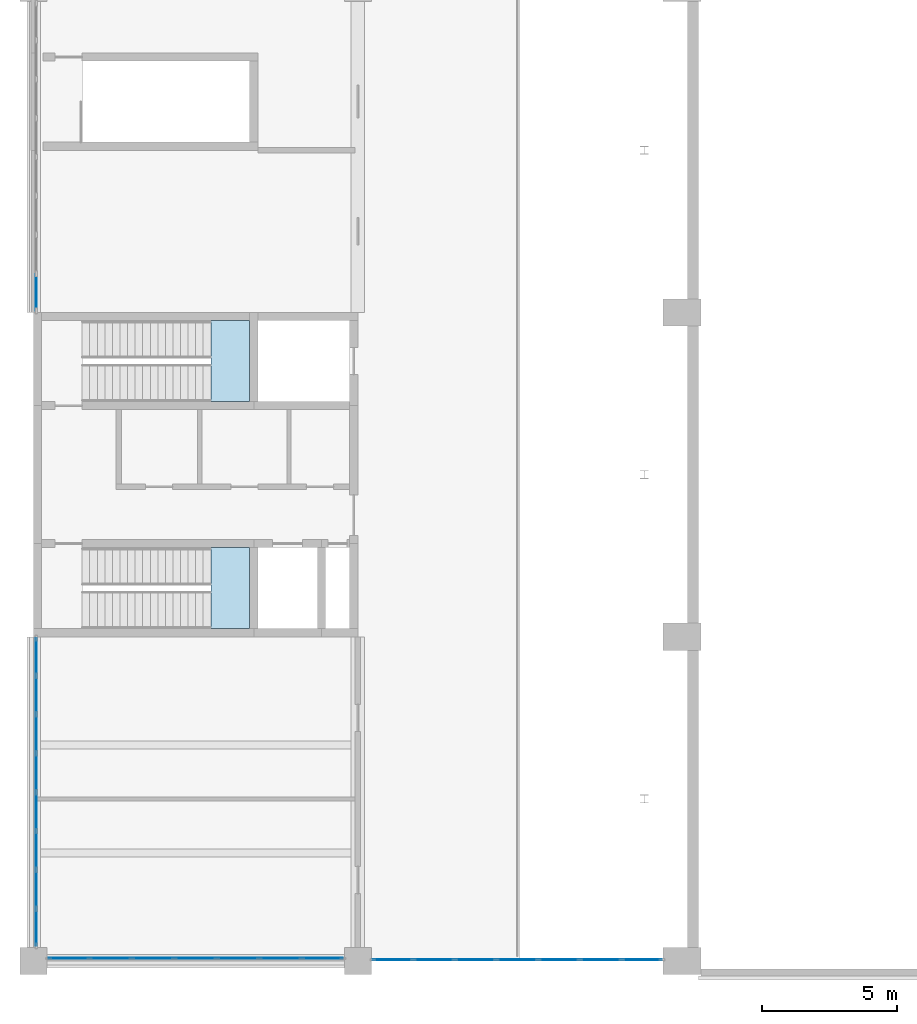
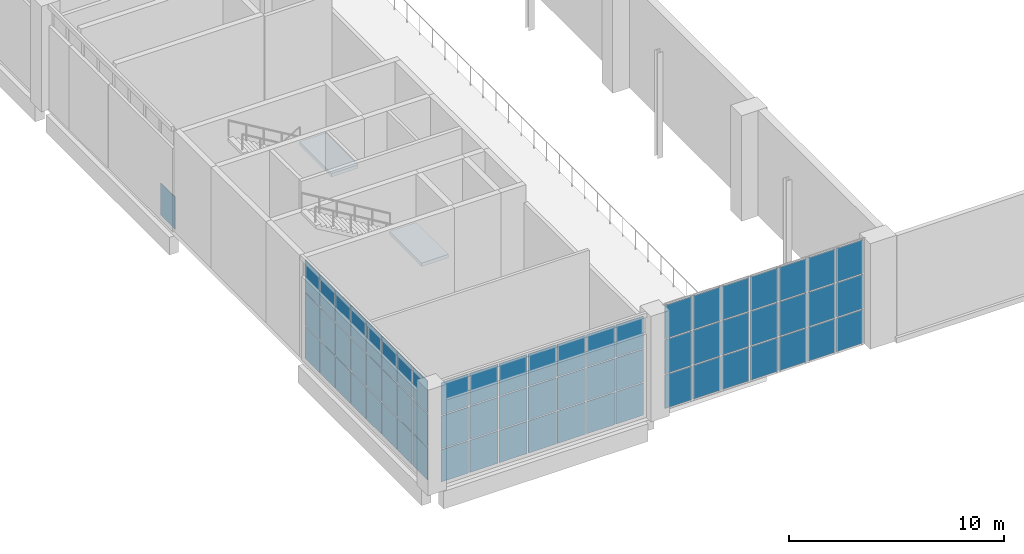
# One storey, part 40 of 72: 67 plates, 2 slabs, 6 elements without a shape of their own.
"""IFC4 building model written with IfcOpenShell, lengths in metres."""

from ifc_helpers import new_model, si_unit, direction, frame, origin, origin_2d, place, context, subcontext, project, spatial, polyline, rectangle, outline, extrude, material, layer, layer_set, type_object, element, aggregate, save


model = new_model("IFC4")

# Units and contexts
model_context = context("Model", 3, precision=1e-05, world=origin(), true_north=direction((0.0, 1.0)))
body_context = subcontext(model_context, "Body", "Model", "MODEL_VIEW")
ifc_project = project(units=[si_unit("LENGTHUNIT", "METRE"), si_unit("AREAUNIT", "SQUARE_METRE"), si_unit("VOLUMEUNIT", "CUBIC_METRE"), si_unit("PLANEANGLEUNIT", "RADIAN"), si_unit("MASSUNIT", "GRAM", prefix="KILO")], contexts=[model_context])

# Site, building, storey
site_placement = place(None, origin())
site = spatial("IfcSite", under=ifc_project, at=site_placement, CompositionType="ELEMENT")
building_placement = place(site_placement, origin())
building = spatial("IfcBuilding", under=site, at=building_placement, Name="Lilac Gate Convention Centre", CompositionType="ELEMENT")
storey_placement = place(building_placement, frame((0.0, 0.0, 6.0)))
storey = spatial("IfcBuildingStorey", under=building, at=storey_placement, Name="L01", CompositionType="ELEMENT", Elevation=6.0)

# Curtain wall, plates
ifc_material_1 = material(Name="Aluminium framed double glazing", Category="aluminium")
ifc_layer_1 = layer(ifc_material_1, 0.199951171875)
ifc_layer_set_1 = layer_set([ifc_layer_1], Name="Aluminium framed double glazing")
curtain_wall_type = type_object("IfcCurtainWallType", Name="Unitised curtain wall 1500", PredefinedType="NOTDEFINED", material=ifc_layer_set_1)
curtain_wall_1_placement = place(storey_placement, origin())
curtain_wall_1 = element("IfcCurtainWall", 1, at=curtain_wall_1_placement, inside=storey, type_object=curtain_wall_type, Name="Curtain wall PW L01 12", PredefinedType="NOTDEFINED")
ifc_material_2 = material(Name="Double glazed unit low emissivity")
ifc_layer_2 = layer(ifc_material_2, 0.028076171875)
ifc_layer_set_2 = layer_set([ifc_layer_2], Name="Double glazed unit low emissivity")
plate_type_1 = type_object("IfcPlateType", Name="Curtain wall glass panel 28", PredefinedType="CURTAIN_PANEL", material=ifc_layer_set_2)
plate_1_placement = place(storey_placement, frame((6.10009765625, 41.266357421875, 1.94677734375), z_axis=(0.0, 0.0, 1.0), x_axis=(0.0, -1.0, 0.0)))
plate_1 = element("IfcPlate", 2, at=plate_1_placement, type_object=plate_type_1, Name="CW panel 1.2", PredefinedType="CURTAIN_PANEL", context=body_context, shape_type="SweptSolid", body=[
    extrude(rectangle(XDim=1.347412109375, YDim=0.028076171875, at=origin_2d()), origin(), (0.0, 0.0, 1.0), 1.856689453125),
])
plate_2_placement = place(storey_placement, frame((6.10009765625, 41.266357421875, 3.86328125), z_axis=(0.0, 0.0, 1.0), x_axis=(0.0, -1.0, 0.0)))
plate_2 = element("IfcPlate", 3, at=plate_2_placement, type_object=plate_type_1, Name="CW panel 1.3", PredefinedType="CURTAIN_PANEL", context=body_context, shape_type="SweptSolid", body=[
    extrude(rectangle(XDim=1.347412109375, YDim=0.028076171875, at=origin_2d()), origin(), (0.0, 0.0, 1.0), 1.82666015625),
])
plate_3_placement = place(storey_placement, frame((6.10009765625, 39.84375, 1.94677734375), z_axis=(0.0, 0.0, 1.0), x_axis=(0.0, -1.0, 0.0)))
plate_3 = element("IfcPlate", 4, at=plate_3_placement, type_object=plate_type_1, Name="CW panel 2.2", PredefinedType="CURTAIN_PANEL", context=body_context, shape_type="SweptSolid", body=[
    extrude(rectangle(XDim=1.37744140625, YDim=0.028076171875, at=origin_2d()), origin(), (0.0, 0.0, 1.0), 1.856689453125),
])
plate_4_placement = place(storey_placement, frame((6.10009765625, 39.84375, 3.86328125), z_axis=(0.0, 0.0, 1.0), x_axis=(0.0, -1.0, 0.0)))
plate_4 = element("IfcPlate", 5, at=plate_4_placement, type_object=plate_type_1, Name="CW panel 2.3", PredefinedType="CURTAIN_PANEL", context=body_context, shape_type="SweptSolid", body=[
    extrude(rectangle(XDim=1.37744140625, YDim=0.028076171875, at=origin_2d()), origin(), (0.0, 0.0, 1.0), 1.82666015625),
])
plate_5_placement = place(storey_placement, frame((6.10009765625, 38.40625, 1.94677734375), z_axis=(0.0, 0.0, 1.0), x_axis=(0.0, -1.0, 0.0)))
plate_5 = element("IfcPlate", 6, at=plate_5_placement, type_object=plate_type_1, Name="CW panel 3.2", PredefinedType="CURTAIN_PANEL", context=body_context, shape_type="SweptSolid", body=[
    extrude(rectangle(XDim=1.37744140625, YDim=0.028076171875, at=origin_2d()), origin(), (0.0, 0.0, 1.0), 1.856689453125),
])
plate_6_placement = place(storey_placement, frame((6.10009765625, 38.40625, 3.86328125), z_axis=(0.0, 0.0, 1.0), x_axis=(0.0, -1.0, 0.0)))
plate_6 = element("IfcPlate", 7, at=plate_6_placement, type_object=plate_type_1, Name="CW panel 3.3", PredefinedType="CURTAIN_PANEL", context=body_context, shape_type="SweptSolid", body=[
    extrude(rectangle(XDim=1.37744140625, YDim=0.028076171875, at=origin_2d()), origin(), (0.0, 0.0, 1.0), 1.82666015625),
])
plate_7_placement = place(storey_placement, frame((6.10009765625, 36.96875, 1.94677734375), z_axis=(0.0, 0.0, 1.0), x_axis=(0.0, -1.0, 0.0)))
plate_7 = element("IfcPlate", 8, at=plate_7_placement, type_object=plate_type_1, Name="CW panel 4.2", PredefinedType="CURTAIN_PANEL", context=body_context, shape_type="SweptSolid", body=[
    extrude(rectangle(XDim=1.37744140625, YDim=0.028076171875, at=origin_2d()), origin(), (0.0, 0.0, 1.0), 1.856689453125),
])
plate_8_placement = place(storey_placement, frame((6.10009765625, 36.96875, 3.86328125), z_axis=(0.0, 0.0, 1.0), x_axis=(0.0, -1.0, 0.0)))
plate_8 = element("IfcPlate", 9, at=plate_8_placement, type_object=plate_type_1, Name="CW panel 4.3", PredefinedType="CURTAIN_PANEL", context=body_context, shape_type="SweptSolid", body=[
    extrude(rectangle(XDim=1.37744140625, YDim=0.028076171875, at=origin_2d()), origin(), (0.0, 0.0, 1.0), 1.82666015625),
])
plate_9_placement = place(storey_placement, frame((6.10009765625, 35.53125, 1.94677734375), z_axis=(0.0, 0.0, 1.0), x_axis=(0.0, -1.0, 0.0)))
plate_9 = element("IfcPlate", 10, at=plate_9_placement, type_object=plate_type_1, Name="CW panel 5.2", PredefinedType="CURTAIN_PANEL", context=body_context, shape_type="SweptSolid", body=[
    extrude(rectangle(XDim=1.37744140625, YDim=0.028076171875, at=origin_2d()), origin(), (0.0, 0.0, 1.0), 1.856689453125),
])
plate_10_placement = place(storey_placement, frame((6.10009765625, 35.53125, 3.86328125), z_axis=(0.0, 0.0, 1.0), x_axis=(0.0, -1.0, 0.0)))
plate_10 = element("IfcPlate", 11, at=plate_10_placement, type_object=plate_type_1, Name="CW panel 5.3", PredefinedType="CURTAIN_PANEL", context=body_context, shape_type="SweptSolid", body=[
    extrude(rectangle(XDim=1.37744140625, YDim=0.028076171875, at=origin_2d()), origin(), (0.0, 0.0, 1.0), 1.82666015625),
])
plate_11_placement = place(storey_placement, frame((6.10009765625, 34.09375, 1.94677734375), z_axis=(0.0, 0.0, 1.0), x_axis=(0.0, -1.0, 0.0)))
plate_11 = element("IfcPlate", 12, at=plate_11_placement, type_object=plate_type_1, Name="CW panel 6.2", PredefinedType="CURTAIN_PANEL", context=body_context, shape_type="SweptSolid", body=[
    extrude(rectangle(XDim=1.37744140625, YDim=0.028076171875, at=origin_2d()), origin(), (0.0, 0.0, 1.0), 1.856689453125),
])
plate_12_placement = place(storey_placement, frame((6.10009765625, 34.09375, 3.86328125), z_axis=(0.0, 0.0, 1.0), x_axis=(0.0, -1.0, 0.0)))
plate_12 = element("IfcPlate", 13, at=plate_12_placement, type_object=plate_type_1, Name="CW panel 6.3", PredefinedType="CURTAIN_PANEL", context=body_context, shape_type="SweptSolid", body=[
    extrude(rectangle(XDim=1.37744140625, YDim=0.028076171875, at=origin_2d()), origin(), (0.0, 0.0, 1.0), 1.82666015625),
])
plate_13_placement = place(storey_placement, frame((6.10009765625, 32.65625, 1.94677734375), z_axis=(0.0, 0.0, 1.0), x_axis=(0.0, -1.0, 0.0)))
plate_13 = element("IfcPlate", 14, at=plate_13_placement, type_object=plate_type_1, Name="CW panel 7.2", PredefinedType="CURTAIN_PANEL", context=body_context, shape_type="SweptSolid", body=[
    extrude(rectangle(XDim=1.37744140625, YDim=0.028076171875, at=origin_2d()), origin(), (0.0, 0.0, 1.0), 1.856689453125),
])
plate_14_placement = place(storey_placement, frame((6.10009765625, 32.65625, 3.86328125), z_axis=(0.0, 0.0, 1.0), x_axis=(0.0, -1.0, 0.0)))
plate_14 = element("IfcPlate", 15, at=plate_14_placement, type_object=plate_type_1, Name="CW panel 7.3", PredefinedType="CURTAIN_PANEL", context=body_context, shape_type="SweptSolid", body=[
    extrude(rectangle(XDim=1.37744140625, YDim=0.028076171875, at=origin_2d()), origin(), (0.0, 0.0, 1.0), 1.82666015625),
])
plate_15_placement = place(storey_placement, frame((6.10009765625, 31.233642578125, 1.94677734375), z_axis=(0.0, 0.0, 1.0), x_axis=(0.0, -1.0, 0.0)))
plate_15 = element("IfcPlate", 16, at=plate_15_placement, type_object=plate_type_1, Name="CW panel 8.2", PredefinedType="CURTAIN_PANEL", context=body_context, shape_type="SweptSolid", body=[
    extrude(rectangle(XDim=1.347412109375, YDim=0.028076171875, at=origin_2d()), origin(), (0.0, 0.0, 1.0), 1.856689453125),
])
plate_16_placement = place(storey_placement, frame((6.10009765625, 31.233642578125, 3.86328125), z_axis=(0.0, 0.0, 1.0), x_axis=(0.0, -1.0, 0.0)))
plate_16 = element("IfcPlate", 17, at=plate_16_placement, type_object=plate_type_1, Name="CW panel 8.3", PredefinedType="CURTAIN_PANEL", context=body_context, shape_type="SweptSolid", body=[
    extrude(rectangle(XDim=1.347412109375, YDim=0.028076171875, at=origin_2d()), origin(), (0.0, 0.0, 1.0), 1.82666015625),
])

curtain_wall_2_placement = place(storey_placement, origin())
curtain_wall_2 = element("IfcCurtainWall", 18, at=curtain_wall_2_placement, inside=storey, type_object=curtain_wall_type, Name="Curtain wall PS L01 1", PredefinedType="NOTDEFINED")
plate_17_placement = place(storey_placement, frame((7.30078125, 30.10009765625, 1.94677734375), z_axis=(0.0, 0.0, 1.0), x_axis=(1.0, 0.0, 0.0)))
plate_17 = element("IfcPlate", 19, at=plate_17_placement, type_object=plate_type_1, Name="CW panel 1.2", PredefinedType="CURTAIN_PANEL", context=body_context, shape_type="SweptSolid", body=[
    extrude(rectangle(XDim=1.4814453125, YDim=0.028076171875, at=origin_2d()), origin(), (0.0, 0.0, 1.0), 1.856689453125),
])
plate_18_placement = place(storey_placement, frame((7.30078125, 30.10009765625, 3.86328125), z_axis=(0.0, 0.0, 1.0), x_axis=(1.0, 0.0, 0.0)))
plate_18 = element("IfcPlate", 20, at=plate_18_placement, type_object=plate_type_1, Name="CW panel 1.3", PredefinedType="CURTAIN_PANEL", context=body_context, shape_type="SweptSolid", body=[
    extrude(rectangle(XDim=1.4814453125, YDim=0.028076171875, at=origin_2d()), origin(), (0.0, 0.0, 1.0), 1.82666015625),
])
plate_19_placement = place(storey_placement, frame((8.857177734375, 30.10009765625, 1.94677734375), z_axis=(0.0, 0.0, 1.0), x_axis=(1.0, 0.0, 0.0)))
plate_19 = element("IfcPlate", 21, at=plate_19_placement, type_object=plate_type_1, Name="CW panel 2.2", PredefinedType="CURTAIN_PANEL", context=body_context, shape_type="SweptSolid", body=[
    extrude(rectangle(XDim=1.511474609375, YDim=0.028076171875, at=origin_2d()), origin(), (0.0, 0.0, 1.0), 1.856689453125),
])
plate_20_placement = place(storey_placement, frame((8.857177734375, 30.10009765625, 3.86328125), z_axis=(0.0, 0.0, 1.0), x_axis=(1.0, 0.0, 0.0)))
plate_20 = element("IfcPlate", 22, at=plate_20_placement, type_object=plate_type_1, Name="CW panel 2.3", PredefinedType="CURTAIN_PANEL", context=body_context, shape_type="SweptSolid", body=[
    extrude(rectangle(XDim=1.511474609375, YDim=0.028076171875, at=origin_2d()), origin(), (0.0, 0.0, 1.0), 1.82666015625),
])
plate_21_placement = place(storey_placement, frame((10.428466796875, 30.10009765625, 1.94677734375), z_axis=(0.0, 0.0, 1.0), x_axis=(1.0, 0.0, 0.0)))
plate_21 = element("IfcPlate", 23, at=plate_21_placement, type_object=plate_type_1, Name="CW panel 3.2", PredefinedType="CURTAIN_PANEL", context=body_context, shape_type="SweptSolid", body=[
    extrude(rectangle(XDim=1.511474609375, YDim=0.028076171875, at=origin_2d()), origin(), (0.0, 0.0, 1.0), 1.856689453125),
])
plate_22_placement = place(storey_placement, frame((10.428466796875, 30.10009765625, 3.86328125), z_axis=(0.0, 0.0, 1.0), x_axis=(1.0, 0.0, 0.0)))
plate_22 = element("IfcPlate", 24, at=plate_22_placement, type_object=plate_type_1, Name="CW panel 3.3", PredefinedType="CURTAIN_PANEL", context=body_context, shape_type="SweptSolid", body=[
    extrude(rectangle(XDim=1.511474609375, YDim=0.028076171875, at=origin_2d()), origin(), (0.0, 0.0, 1.0), 1.82666015625),
])
plate_23_placement = place(storey_placement, frame((12.0, 30.10009765625, 1.94677734375), z_axis=(0.0, 0.0, 1.0), x_axis=(1.0, 0.0, 0.0)))
plate_23 = element("IfcPlate", 25, at=plate_23_placement, type_object=plate_type_1, Name="CW panel 4.2", PredefinedType="CURTAIN_PANEL", context=body_context, shape_type="SweptSolid", body=[
    extrude(rectangle(XDim=1.511474609375, YDim=0.028076171875, at=origin_2d()), origin(), (0.0, 0.0, 1.0), 1.856689453125),
])
plate_24_placement = place(storey_placement, frame((12.0, 30.10009765625, 3.86328125), z_axis=(0.0, 0.0, 1.0), x_axis=(1.0, 0.0, 0.0)))
plate_24 = element("IfcPlate", 26, at=plate_24_placement, type_object=plate_type_1, Name="CW panel 4.3", PredefinedType="CURTAIN_PANEL", context=body_context, shape_type="SweptSolid", body=[
    extrude(rectangle(XDim=1.511474609375, YDim=0.028076171875, at=origin_2d()), origin(), (0.0, 0.0, 1.0), 1.82666015625),
])
plate_25_placement = place(storey_placement, frame((13.571533203125, 30.10009765625, 1.94677734375), z_axis=(0.0, 0.0, 1.0), x_axis=(1.0, 0.0, 0.0)))
plate_25 = element("IfcPlate", 27, at=plate_25_placement, type_object=plate_type_1, Name="CW panel 5.2", PredefinedType="CURTAIN_PANEL", context=body_context, shape_type="SweptSolid", body=[
    extrude(rectangle(XDim=1.511474609375, YDim=0.028076171875, at=origin_2d()), origin(), (0.0, 0.0, 1.0), 1.856689453125),
])
plate_26_placement = place(storey_placement, frame((13.571533203125, 30.10009765625, 3.86328125), z_axis=(0.0, 0.0, 1.0), x_axis=(1.0, 0.0, 0.0)))
plate_26 = element("IfcPlate", 28, at=plate_26_placement, type_object=plate_type_1, Name="CW panel 5.3", PredefinedType="CURTAIN_PANEL", context=body_context, shape_type="SweptSolid", body=[
    extrude(rectangle(XDim=1.511474609375, YDim=0.028076171875, at=origin_2d()), origin(), (0.0, 0.0, 1.0), 1.82666015625),
])
plate_27_placement = place(storey_placement, frame((15.142822265625, 30.10009765625, 1.94677734375), z_axis=(0.0, 0.0, 1.0), x_axis=(1.0, 0.0, 0.0)))
plate_27 = element("IfcPlate", 29, at=plate_27_placement, type_object=plate_type_1, Name="CW panel 6.2", PredefinedType="CURTAIN_PANEL", context=body_context, shape_type="SweptSolid", body=[
    extrude(rectangle(XDim=1.511474609375, YDim=0.028076171875, at=origin_2d()), origin(), (0.0, 0.0, 1.0), 1.856689453125),
])
plate_28_placement = place(storey_placement, frame((15.142822265625, 30.10009765625, 3.86328125), z_axis=(0.0, 0.0, 1.0), x_axis=(1.0, 0.0, 0.0)))
plate_28 = element("IfcPlate", 30, at=plate_28_placement, type_object=plate_type_1, Name="CW panel 6.3", PredefinedType="CURTAIN_PANEL", context=body_context, shape_type="SweptSolid", body=[
    extrude(rectangle(XDim=1.511474609375, YDim=0.028076171875, at=origin_2d()), origin(), (0.0, 0.0, 1.0), 1.82666015625),
])
plate_29_placement = place(storey_placement, frame((16.69921875, 30.10009765625, 1.94677734375), z_axis=(0.0, 0.0, 1.0), x_axis=(1.0, 0.0, 0.0)))
plate_29 = element("IfcPlate", 31, at=plate_29_placement, type_object=plate_type_1, Name="CW panel 7.2", PredefinedType="CURTAIN_PANEL", context=body_context, shape_type="SweptSolid", body=[
    extrude(rectangle(XDim=1.4814453125, YDim=0.028076171875, at=origin_2d()), origin(), (0.0, 0.0, 1.0), 1.856689453125),
])
plate_30_placement = place(storey_placement, frame((16.69921875, 30.10009765625, 3.86328125), z_axis=(0.0, 0.0, 1.0), x_axis=(1.0, 0.0, 0.0)))
plate_30 = element("IfcPlate", 32, at=plate_30_placement, type_object=plate_type_1, Name="CW panel 7.3", PredefinedType="CURTAIN_PANEL", context=body_context, shape_type="SweptSolid", body=[
    extrude(rectangle(XDim=1.4814453125, YDim=0.028076171875, at=origin_2d()), origin(), (0.0, 0.0, 1.0), 1.82666015625),
])

curtain_wall_3_placement = place(storey_placement, origin())
curtain_wall_3 = element("IfcCurtainWall", 33, at=curtain_wall_3_placement, inside=storey, type_object=curtain_wall_type, Name="Galleria end glazing L01", PredefinedType="NOTDEFINED")
plate_31_placement = place(storey_placement, frame((19.286376953125, 30.050048828125, 0.06005859375), z_axis=(0.0, 0.0, 1.0), x_axis=(1.0, 0.0, 0.0)))
plate_31 = element("IfcPlate", 34, at=plate_31_placement, type_object=plate_type_1, Name="CW panel 1.1", PredefinedType="CURTAIN_PANEL", context=body_context, shape_type="SweptSolid", body=[
    extrude(rectangle(XDim=1.452880859375, YDim=0.028076171875, at=origin_2d()), origin(), (0.0, 0.0, 1.0), 1.909912109375),
])
plate_32_placement = place(storey_placement, frame((19.286376953125, 30.050048828125, 2.030029296875), z_axis=(0.0, 0.0, 1.0), x_axis=(1.0, 0.0, 0.0)))
plate_32 = element("IfcPlate", 35, at=plate_32_placement, type_object=plate_type_1, Name="CW panel 1.2", PredefinedType="CURTAIN_PANEL", context=body_context, shape_type="SweptSolid", body=[
    extrude(rectangle(XDim=1.452880859375, YDim=0.028076171875, at=origin_2d()), origin(), (0.0, 0.0, 1.0), 1.93994140625),
])
plate_33_placement = place(storey_placement, frame((19.286376953125, 30.050048828125, 4.0302734375), z_axis=(0.0, 0.0, 1.0), x_axis=(1.0, 0.0, 0.0)))
plate_33 = element("IfcPlate", 36, at=plate_33_placement, type_object=plate_type_1, Name="CW panel 1.3", PredefinedType="CURTAIN_PANEL", context=body_context, shape_type="SweptSolid", body=[
    extrude(rectangle(XDim=1.452880859375, YDim=0.028076171875, at=origin_2d()), origin(), (0.0, 0.0, 1.0), 1.909912109375),
])
plate_34_placement = place(storey_placement, frame((20.814208984375, 30.050048828125, 0.06005859375), z_axis=(0.0, 0.0, 1.0), x_axis=(1.0, 0.0, 0.0)))
plate_34 = element("IfcPlate", 37, at=plate_34_placement, type_object=plate_type_1, Name="CW panel 2.1", PredefinedType="CURTAIN_PANEL", context=body_context, shape_type="SweptSolid", body=[
    extrude(rectangle(XDim=1.48291015625, YDim=0.028076171875, at=origin_2d()), origin(), (0.0, 0.0, 1.0), 1.909912109375),
])
plate_35_placement = place(storey_placement, frame((20.814208984375, 30.050048828125, 2.030029296875), z_axis=(0.0, 0.0, 1.0), x_axis=(1.0, 0.0, 0.0)))
plate_35 = element("IfcPlate", 38, at=plate_35_placement, type_object=plate_type_1, Name="CW panel 2.2", PredefinedType="CURTAIN_PANEL", context=body_context, shape_type="SweptSolid", body=[
    extrude(rectangle(XDim=1.48291015625, YDim=0.028076171875, at=origin_2d()), origin(), (0.0, 0.0, 1.0), 1.93994140625),
])
plate_36_placement = place(storey_placement, frame((20.814208984375, 30.050048828125, 4.0302734375), z_axis=(0.0, 0.0, 1.0), x_axis=(1.0, 0.0, 0.0)))
plate_36 = element("IfcPlate", 39, at=plate_36_placement, type_object=plate_type_1, Name="CW panel 2.3", PredefinedType="CURTAIN_PANEL", context=body_context, shape_type="SweptSolid", body=[
    extrude(rectangle(XDim=1.48291015625, YDim=0.028076171875, at=origin_2d()), origin(), (0.0, 0.0, 1.0), 1.909912109375),
])
plate_37_placement = place(storey_placement, frame((22.357177734375, 30.050048828125, 0.06005859375), z_axis=(0.0, 0.0, 1.0), x_axis=(1.0, 0.0, 0.0)))
plate_37 = element("IfcPlate", 40, at=plate_37_placement, type_object=plate_type_1, Name="CW panel 3.1", PredefinedType="CURTAIN_PANEL", context=body_context, shape_type="SweptSolid", body=[
    extrude(rectangle(XDim=1.48291015625, YDim=0.028076171875, at=origin_2d()), origin(), (0.0, 0.0, 1.0), 1.909912109375),
])
plate_38_placement = place(storey_placement, frame((22.357177734375, 30.050048828125, 2.030029296875), z_axis=(0.0, 0.0, 1.0), x_axis=(1.0, 0.0, 0.0)))
plate_38 = element("IfcPlate", 41, at=plate_38_placement, type_object=plate_type_1, Name="CW panel 3.2", PredefinedType="CURTAIN_PANEL", context=body_context, shape_type="SweptSolid", body=[
    extrude(rectangle(XDim=1.48291015625, YDim=0.028076171875, at=origin_2d()), origin(), (0.0, 0.0, 1.0), 1.93994140625),
])
plate_39_placement = place(storey_placement, frame((22.357177734375, 30.050048828125, 4.0302734375), z_axis=(0.0, 0.0, 1.0), x_axis=(1.0, 0.0, 0.0)))
plate_39 = element("IfcPlate", 42, at=plate_39_placement, type_object=plate_type_1, Name="CW panel 3.3", PredefinedType="CURTAIN_PANEL", context=body_context, shape_type="SweptSolid", body=[
    extrude(rectangle(XDim=1.48291015625, YDim=0.028076171875, at=origin_2d()), origin(), (0.0, 0.0, 1.0), 1.909912109375),
])
plate_40_placement = place(storey_placement, frame((23.89990234375, 30.050048828125, 0.06005859375), z_axis=(0.0, 0.0, 1.0), x_axis=(1.0, 0.0, 0.0)))
plate_40 = element("IfcPlate", 43, at=plate_40_placement, type_object=plate_type_1, Name="CW panel 4.1", PredefinedType="CURTAIN_PANEL", context=body_context, shape_type="SweptSolid", body=[
    extrude(rectangle(XDim=1.48291015625, YDim=0.028076171875, at=origin_2d()), origin(), (0.0, 0.0, 1.0), 1.909912109375),
])
plate_41_placement = place(storey_placement, frame((23.89990234375, 30.050048828125, 2.030029296875), z_axis=(0.0, 0.0, 1.0), x_axis=(1.0, 0.0, 0.0)))
plate_41 = element("IfcPlate", 44, at=plate_41_placement, type_object=plate_type_1, Name="CW panel 4.2", PredefinedType="CURTAIN_PANEL", context=body_context, shape_type="SweptSolid", body=[
    extrude(rectangle(XDim=1.48291015625, YDim=0.028076171875, at=origin_2d()), origin(), (0.0, 0.0, 1.0), 1.93994140625),
])
plate_42_placement = place(storey_placement, frame((23.89990234375, 30.050048828125, 4.0302734375), z_axis=(0.0, 0.0, 1.0), x_axis=(1.0, 0.0, 0.0)))
plate_42 = element("IfcPlate", 45, at=plate_42_placement, type_object=plate_type_1, Name="CW panel 4.3", PredefinedType="CURTAIN_PANEL", context=body_context, shape_type="SweptSolid", body=[
    extrude(rectangle(XDim=1.48291015625, YDim=0.028076171875, at=origin_2d()), origin(), (0.0, 0.0, 1.0), 1.909912109375),
])
plate_43_placement = place(storey_placement, frame((25.44287109375, 30.050048828125, 0.06005859375), z_axis=(0.0, 0.0, 1.0), x_axis=(1.0, 0.0, 0.0)))
plate_43 = element("IfcPlate", 46, at=plate_43_placement, type_object=plate_type_1, Name="CW panel 5.1", PredefinedType="CURTAIN_PANEL", context=body_context, shape_type="SweptSolid", body=[
    extrude(rectangle(XDim=1.48291015625, YDim=0.028076171875, at=origin_2d()), origin(), (0.0, 0.0, 1.0), 1.909912109375),
])
plate_44_placement = place(storey_placement, frame((25.44287109375, 30.050048828125, 2.030029296875), z_axis=(0.0, 0.0, 1.0), x_axis=(1.0, 0.0, 0.0)))
plate_44 = element("IfcPlate", 47, at=plate_44_placement, type_object=plate_type_1, Name="CW panel 5.2", PredefinedType="CURTAIN_PANEL", context=body_context, shape_type="SweptSolid", body=[
    extrude(rectangle(XDim=1.48291015625, YDim=0.028076171875, at=origin_2d()), origin(), (0.0, 0.0, 1.0), 1.93994140625),
])
plate_45_placement = place(storey_placement, frame((25.44287109375, 30.050048828125, 4.0302734375), z_axis=(0.0, 0.0, 1.0), x_axis=(1.0, 0.0, 0.0)))
plate_45 = element("IfcPlate", 48, at=plate_45_placement, type_object=plate_type_1, Name="CW panel 5.3", PredefinedType="CURTAIN_PANEL", context=body_context, shape_type="SweptSolid", body=[
    extrude(rectangle(XDim=1.48291015625, YDim=0.028076171875, at=origin_2d()), origin(), (0.0, 0.0, 1.0), 1.909912109375),
])
plate_46_placement = place(storey_placement, frame((26.98583984375, 30.050048828125, 0.06005859375), z_axis=(0.0, 0.0, 1.0), x_axis=(1.0, 0.0, 0.0)))
plate_46 = element("IfcPlate", 49, at=plate_46_placement, type_object=plate_type_1, Name="CW panel 6.1", PredefinedType="CURTAIN_PANEL", context=body_context, shape_type="SweptSolid", body=[
    extrude(rectangle(XDim=1.48291015625, YDim=0.028076171875, at=origin_2d()), origin(), (0.0, 0.0, 1.0), 1.909912109375),
])
plate_47_placement = place(storey_placement, frame((26.98583984375, 30.050048828125, 2.030029296875), z_axis=(0.0, 0.0, 1.0), x_axis=(1.0, 0.0, 0.0)))
plate_47 = element("IfcPlate", 50, at=plate_47_placement, type_object=plate_type_1, Name="CW panel 6.2", PredefinedType="CURTAIN_PANEL", context=body_context, shape_type="SweptSolid", body=[
    extrude(rectangle(XDim=1.48291015625, YDim=0.028076171875, at=origin_2d()), origin(), (0.0, 0.0, 1.0), 1.93994140625),
])
plate_48_placement = place(storey_placement, frame((26.98583984375, 30.050048828125, 4.0302734375), z_axis=(0.0, 0.0, 1.0), x_axis=(1.0, 0.0, 0.0)))
plate_48 = element("IfcPlate", 51, at=plate_48_placement, type_object=plate_type_1, Name="CW panel 6.3", PredefinedType="CURTAIN_PANEL", context=body_context, shape_type="SweptSolid", body=[
    extrude(rectangle(XDim=1.48291015625, YDim=0.028076171875, at=origin_2d()), origin(), (0.0, 0.0, 1.0), 1.909912109375),
])
plate_49_placement = place(storey_placement, frame((28.513671875, 30.050048828125, 0.06005859375), z_axis=(0.0, 0.0, 1.0), x_axis=(1.0, 0.0, 0.0)))
plate_49 = element("IfcPlate", 52, at=plate_49_placement, type_object=plate_type_1, Name="CW panel 7.1", PredefinedType="CURTAIN_PANEL", context=body_context, shape_type="SweptSolid", body=[
    extrude(rectangle(XDim=1.452880859375, YDim=0.028076171875, at=origin_2d()), origin(), (0.0, 0.0, 1.0), 1.909912109375),
])
plate_50_placement = place(storey_placement, frame((28.513671875, 30.050048828125, 2.030029296875), z_axis=(0.0, 0.0, 1.0), x_axis=(1.0, 0.0, 0.0)))
plate_50 = element("IfcPlate", 53, at=plate_50_placement, type_object=plate_type_1, Name="CW panel 7.2", PredefinedType="CURTAIN_PANEL", context=body_context, shape_type="SweptSolid", body=[
    extrude(rectangle(XDim=1.452880859375, YDim=0.028076171875, at=origin_2d()), origin(), (0.0, 0.0, 1.0), 1.93994140625),
])
plate_51_placement = place(storey_placement, frame((28.513671875, 30.050048828125, 4.0302734375), z_axis=(0.0, 0.0, 1.0), x_axis=(1.0, 0.0, 0.0)))
plate_51 = element("IfcPlate", 54, at=plate_51_placement, type_object=plate_type_1, Name="CW panel 7.3", PredefinedType="CURTAIN_PANEL", context=body_context, shape_type="SweptSolid", body=[
    extrude(rectangle(XDim=1.452880859375, YDim=0.028076171875, at=origin_2d()), origin(), (0.0, 0.0, 1.0), 1.909912109375),
])
aggregate(curtain_wall_3, [plate_31, plate_32, plate_33, plate_34, plate_35, plate_36, plate_37, plate_38, plate_39, plate_40, plate_41, plate_42, plate_43, plate_44, plate_45, plate_46, plate_47, plate_48, plate_49, plate_50, plate_51])

# Curtain wall, plate
curtain_wall_4_placement = place(storey_placement, origin())
curtain_wall_4 = element("IfcCurtainWall", 55, at=curtain_wall_4_placement, inside=storey, type_object=curtain_wall_type, Name="Curtain wall PW L01 11", PredefinedType="NOTDEFINED")
ifc_material_3 = material(Name="Insulated aluminium spandrel panel", Category="aluminium")
ifc_layer_3 = layer(ifc_material_3, 0.028076171875)
ifc_layer_set_3 = layer_set([ifc_layer_3], Name="Insulated aluminium spandrel panel")
plate_type_2 = type_object("IfcPlateType", Name="Curtain wall spandrel panel 28", PredefinedType="CURTAIN_PANEL", material=ifc_layer_set_3)
plate_52_placement = place(storey_placement, frame((6.10009765625, 54.733642578125, 0.06005859375), z_axis=(0.0, 0.0, 1.0), x_axis=(0.0, -1.0, 0.0)))
plate_52 = element("IfcPlate", 56, at=plate_52_placement, type_object=plate_type_2, Name="CW spandrel 8.1", PredefinedType="CURTAIN_PANEL", context=body_context, shape_type="SweptSolid", body=[
    extrude(rectangle(XDim=1.347412109375, YDim=0.028076171875, at=origin_2d()), origin(), (0.0, 0.0, 1.0), 1.82666015625),
])
aggregate(curtain_wall_4, [plate_52])

# Plate
plate_53_placement = place(storey_placement, frame((6.10009765625, 41.266357421875, 0.06005859375), z_axis=(0.0, 0.0, 1.0), x_axis=(0.0, -1.0, 0.0)))
plate_53 = element("IfcPlate", 57, at=plate_53_placement, type_object=plate_type_2, Name="CW spandrel 1.1", PredefinedType="CURTAIN_PANEL", context=body_context, shape_type="SweptSolid", body=[
    extrude(rectangle(XDim=1.347412109375, YDim=0.028076171875, at=origin_2d()), origin(), (0.0, 0.0, 1.0), 1.82666015625),
])

plate_54_placement = place(storey_placement, frame((6.10009765625, 39.84375, 0.06005859375), z_axis=(0.0, 0.0, 1.0), x_axis=(0.0, -1.0, 0.0)))
plate_54 = element("IfcPlate", 58, at=plate_54_placement, type_object=plate_type_2, Name="CW spandrel 2.1", PredefinedType="CURTAIN_PANEL", context=body_context, shape_type="SweptSolid", body=[
    extrude(rectangle(XDim=1.37744140625, YDim=0.028076171875, at=origin_2d()), origin(), (0.0, 0.0, 1.0), 1.82666015625),
])

plate_55_placement = place(storey_placement, frame((6.10009765625, 38.40625, 0.06005859375), z_axis=(0.0, 0.0, 1.0), x_axis=(0.0, -1.0, 0.0)))
plate_55 = element("IfcPlate", 59, at=plate_55_placement, type_object=plate_type_2, Name="CW spandrel 3.1", PredefinedType="CURTAIN_PANEL", context=body_context, shape_type="SweptSolid", body=[
    extrude(rectangle(XDim=1.37744140625, YDim=0.028076171875, at=origin_2d()), origin(), (0.0, 0.0, 1.0), 1.82666015625),
])

plate_56_placement = place(storey_placement, frame((6.10009765625, 36.96875, 0.06005859375), z_axis=(0.0, 0.0, 1.0), x_axis=(0.0, -1.0, 0.0)))
plate_56 = element("IfcPlate", 60, at=plate_56_placement, type_object=plate_type_2, Name="CW spandrel 4.1", PredefinedType="CURTAIN_PANEL", context=body_context, shape_type="SweptSolid", body=[
    extrude(rectangle(XDim=1.37744140625, YDim=0.028076171875, at=origin_2d()), origin(), (0.0, 0.0, 1.0), 1.82666015625),
])

plate_57_placement = place(storey_placement, frame((6.10009765625, 35.53125, 0.06005859375), z_axis=(0.0, 0.0, 1.0), x_axis=(0.0, -1.0, 0.0)))
plate_57 = element("IfcPlate", 61, at=plate_57_placement, type_object=plate_type_2, Name="CW spandrel 5.1", PredefinedType="CURTAIN_PANEL", context=body_context, shape_type="SweptSolid", body=[
    extrude(rectangle(XDim=1.37744140625, YDim=0.028076171875, at=origin_2d()), origin(), (0.0, 0.0, 1.0), 1.82666015625),
])

plate_58_placement = place(storey_placement, frame((6.10009765625, 34.09375, 0.06005859375), z_axis=(0.0, 0.0, 1.0), x_axis=(0.0, -1.0, 0.0)))
plate_58 = element("IfcPlate", 62, at=plate_58_placement, type_object=plate_type_2, Name="CW spandrel 6.1", PredefinedType="CURTAIN_PANEL", context=body_context, shape_type="SweptSolid", body=[
    extrude(rectangle(XDim=1.37744140625, YDim=0.028076171875, at=origin_2d()), origin(), (0.0, 0.0, 1.0), 1.82666015625),
])

plate_59_placement = place(storey_placement, frame((6.10009765625, 32.65625, 0.06005859375), z_axis=(0.0, 0.0, 1.0), x_axis=(0.0, -1.0, 0.0)))
plate_59 = element("IfcPlate", 63, at=plate_59_placement, type_object=plate_type_2, Name="CW spandrel 7.1", PredefinedType="CURTAIN_PANEL", context=body_context, shape_type="SweptSolid", body=[
    extrude(rectangle(XDim=1.37744140625, YDim=0.028076171875, at=origin_2d()), origin(), (0.0, 0.0, 1.0), 1.82666015625),
])

plate_60_placement = place(storey_placement, frame((6.10009765625, 31.233642578125, 0.06005859375), z_axis=(0.0, 0.0, 1.0), x_axis=(0.0, -1.0, 0.0)))
plate_60 = element("IfcPlate", 64, at=plate_60_placement, type_object=plate_type_2, Name="CW spandrel 8.1", PredefinedType="CURTAIN_PANEL", context=body_context, shape_type="SweptSolid", body=[
    extrude(rectangle(XDim=1.347412109375, YDim=0.028076171875, at=origin_2d()), origin(), (0.0, 0.0, 1.0), 1.82666015625),
])

aggregate(curtain_wall_1, [plate_53, plate_1, plate_2, plate_54, plate_3, plate_4, plate_55, plate_5, plate_6, plate_56, plate_7, plate_8, plate_57, plate_9, plate_10, plate_58, plate_11, plate_12, plate_59, plate_13, plate_14, plate_60, plate_15, plate_16])

plate_61_placement = place(storey_placement, frame((7.30078125, 30.10009765625, 0.06005859375), z_axis=(0.0, 0.0, 1.0), x_axis=(1.0, 0.0, 0.0)))
plate_61 = element("IfcPlate", 65, at=plate_61_placement, type_object=plate_type_2, Name="CW spandrel 1.1", PredefinedType="CURTAIN_PANEL", context=body_context, shape_type="SweptSolid", body=[
    extrude(rectangle(XDim=1.4814453125, YDim=0.028076171875, at=origin_2d()), origin(), (0.0, 0.0, 1.0), 1.82666015625),
])

plate_62_placement = place(storey_placement, frame((8.857177734375, 30.10009765625, 0.06005859375), z_axis=(0.0, 0.0, 1.0), x_axis=(1.0, 0.0, 0.0)))
plate_62 = element("IfcPlate", 66, at=plate_62_placement, type_object=plate_type_2, Name="CW spandrel 2.1", PredefinedType="CURTAIN_PANEL", context=body_context, shape_type="SweptSolid", body=[
    extrude(rectangle(XDim=1.511474609375, YDim=0.028076171875, at=origin_2d()), origin(), (0.0, 0.0, 1.0), 1.82666015625),
])

plate_63_placement = place(storey_placement, frame((10.428466796875, 30.10009765625, 0.06005859375), z_axis=(0.0, 0.0, 1.0), x_axis=(1.0, 0.0, 0.0)))
plate_63 = element("IfcPlate", 67, at=plate_63_placement, type_object=plate_type_2, Name="CW spandrel 3.1", PredefinedType="CURTAIN_PANEL", context=body_context, shape_type="SweptSolid", body=[
    extrude(rectangle(XDim=1.511474609375, YDim=0.028076171875, at=origin_2d()), origin(), (0.0, 0.0, 1.0), 1.82666015625),
])

plate_64_placement = place(storey_placement, frame((12.0, 30.10009765625, 0.06005859375), z_axis=(0.0, 0.0, 1.0), x_axis=(1.0, 0.0, 0.0)))
plate_64 = element("IfcPlate", 68, at=plate_64_placement, type_object=plate_type_2, Name="CW spandrel 4.1", PredefinedType="CURTAIN_PANEL", context=body_context, shape_type="SweptSolid", body=[
    extrude(rectangle(XDim=1.511474609375, YDim=0.028076171875, at=origin_2d()), origin(), (0.0, 0.0, 1.0), 1.82666015625),
])

plate_65_placement = place(storey_placement, frame((13.571533203125, 30.10009765625, 0.06005859375), z_axis=(0.0, 0.0, 1.0), x_axis=(1.0, 0.0, 0.0)))
plate_65 = element("IfcPlate", 69, at=plate_65_placement, type_object=plate_type_2, Name="CW spandrel 5.1", PredefinedType="CURTAIN_PANEL", context=body_context, shape_type="SweptSolid", body=[
    extrude(rectangle(XDim=1.511474609375, YDim=0.028076171875, at=origin_2d()), origin(), (0.0, 0.0, 1.0), 1.82666015625),
])

plate_66_placement = place(storey_placement, frame((15.142822265625, 30.10009765625, 0.06005859375), z_axis=(0.0, 0.0, 1.0), x_axis=(1.0, 0.0, 0.0)))
plate_66 = element("IfcPlate", 70, at=plate_66_placement, type_object=plate_type_2, Name="CW spandrel 6.1", PredefinedType="CURTAIN_PANEL", context=body_context, shape_type="SweptSolid", body=[
    extrude(rectangle(XDim=1.511474609375, YDim=0.028076171875, at=origin_2d()), origin(), (0.0, 0.0, 1.0), 1.82666015625),
])

plate_67_placement = place(storey_placement, frame((16.69921875, 30.10009765625, 0.06005859375), z_axis=(0.0, 0.0, 1.0), x_axis=(1.0, 0.0, 0.0)))
plate_67 = element("IfcPlate", 71, at=plate_67_placement, type_object=plate_type_2, Name="CW spandrel 7.1", PredefinedType="CURTAIN_PANEL", context=body_context, shape_type="SweptSolid", body=[
    extrude(rectangle(XDim=1.4814453125, YDim=0.028076171875, at=origin_2d()), origin(), (0.0, 0.0, 1.0), 1.82666015625),
])

aggregate(curtain_wall_2, [plate_61, plate_17, plate_18, plate_62, plate_19, plate_20, plate_63, plate_21, plate_22, plate_64, plate_23, plate_24, plate_65, plate_25, plate_26, plate_66, plate_27, plate_28, plate_67, plate_29, plate_30])

# Stair, slab
ifc_material_4 = material(Name="Concrete C40", Category="concrete")
stair_type = type_object("IfcStairType", Name="Exit stair two flights", PredefinedType="HALF_TURN_STAIR", material=ifc_material_4)
stair_1_placement = place(storey_placement, origin())
stair_1 = element("IfcStair", 72, at=stair_1_placement, inside=storey, type_object=stair_type, Name="Exit stair W1A L01 to L02", PredefinedType="HALF_TURN_STAIR")
ifc_layer_4 = layer(ifc_material_4, 0.199951171875)
ifc_layer_set_4 = layer_set([ifc_layer_4], Name="Concrete C40")
slab_type = type_object("IfcSlabType", Name="Stair landing 200 precast", PredefinedType="LANDING", material=ifc_layer_set_4)
slab_1_placement = place(storey_placement, frame((0.0, 0.0, 2.800048828125)))
slab_1 = element("IfcSlab", 73, at=slab_1_placement, type_object=slab_type, Name="ST3 landing 1", PredefinedType="LANDING", context=body_context, shape_type="SweptSolid", body=[
    extrude(outline(polyline([(12.56005859375, 42.300048828125), (14.0, 42.300048828125), (14.0, 45.300048828125), (12.56005859375, 45.300048828125), (12.56005859375, 42.300048828125)])), origin(), (0.0, 0.0, 1.0), 0.199951171875),
])
aggregate(stair_1, [slab_1])

stair_2_placement = place(storey_placement, origin())
stair_2 = element("IfcStair", 74, at=stair_2_placement, inside=storey, type_object=stair_type, Name="Exit stair W1B L01 to L02", PredefinedType="HALF_TURN_STAIR")
slab_2_placement = place(storey_placement, frame((0.0, 0.0, 2.800048828125)))
slab_2 = element("IfcSlab", 75, at=slab_2_placement, type_object=slab_type, Name="ST4 landing 1", PredefinedType="LANDING", context=body_context, shape_type="SweptSolid", body=[
    extrude(outline(polyline([(12.56005859375, 50.699951171875), (14.0, 50.699951171875), (14.0, 53.699951171875), (12.56005859375, 53.699951171875), (12.56005859375, 50.699951171875)])), origin(), (0.0, 0.0, 1.0), 0.199951171875),
])
aggregate(stair_2, [slab_2])

save(model, "model.ifc")
